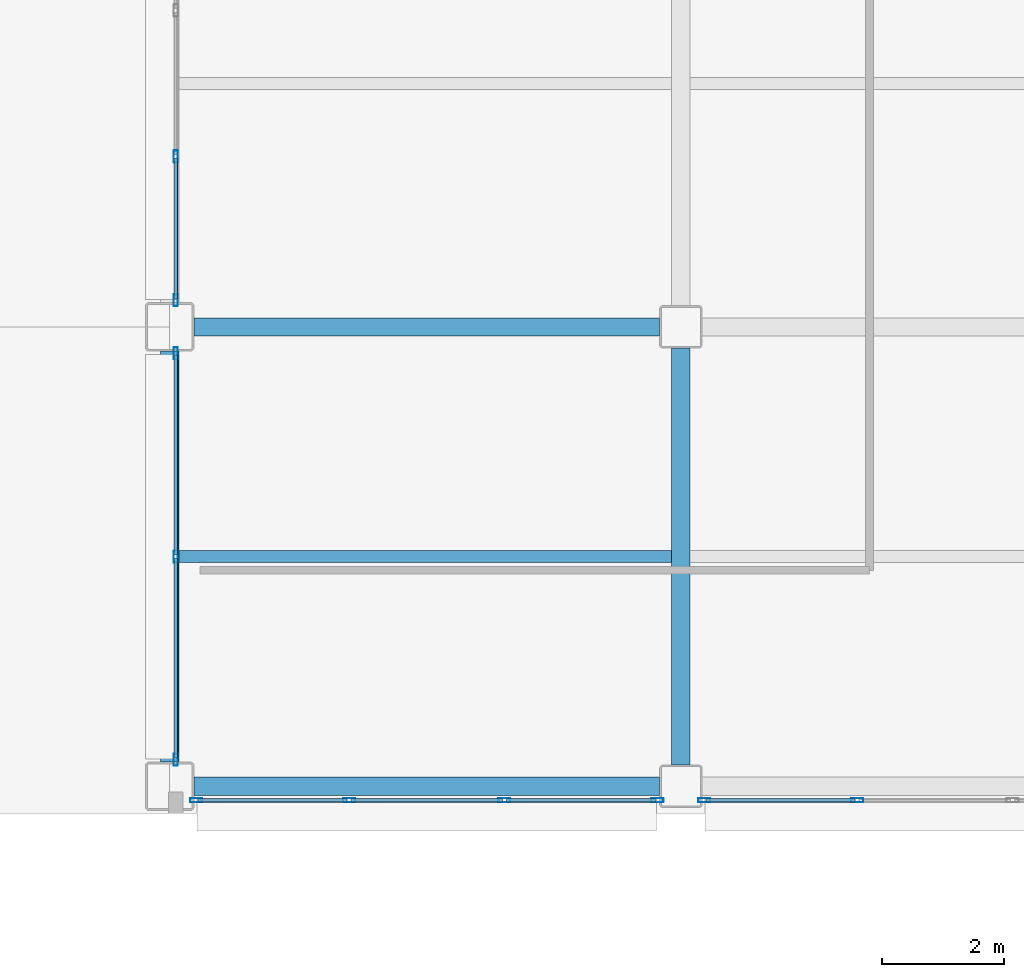
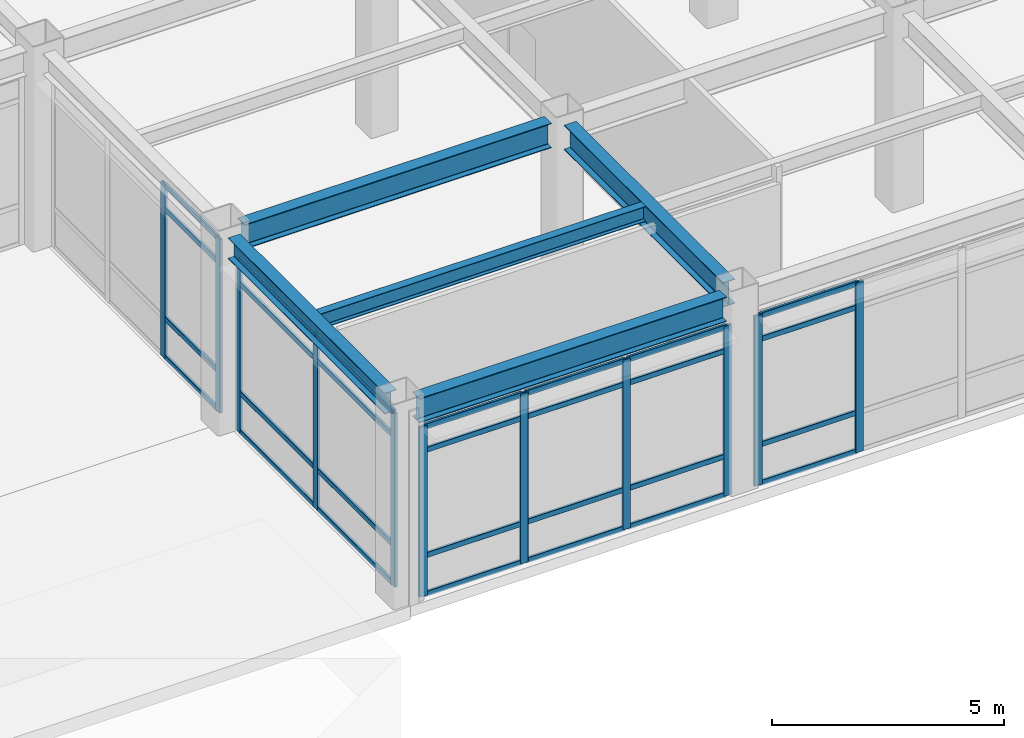
# One storey, part 82 of 165: 39 members, 5 beams, 4 elements without a shape of their own.
"""IFC4 building model written with IfcOpenShell, lengths in metres."""

from ifc_helpers import new_model, si_unit, direction, frame, origin, origin_2d, place, context, subcontext, project, spatial, hollow_rectangle, i_section, extrude, material, layer, layer_set, material_profile, profile_set, type_object, element, aggregate, save


model = new_model("IFC4")

# Units and contexts
model_context = context("Model", 3, precision=1e-05, world=origin(), true_north=direction((0.0, 1.0)))
body_context = subcontext(model_context, "Body", "Model", "MODEL_VIEW")
ifc_project = project(units=[si_unit("LENGTHUNIT", "METRE"), si_unit("AREAUNIT", "SQUARE_METRE"), si_unit("VOLUMEUNIT", "CUBIC_METRE"), si_unit("PLANEANGLEUNIT", "RADIAN"), si_unit("MASSUNIT", "GRAM", prefix="KILO")], contexts=[model_context])

# Site, building, storey
site_placement = place(None, origin())
site = spatial("IfcSite", under=ifc_project, at=site_placement, CompositionType="ELEMENT")
building_placement = place(site_placement, origin())
building = spatial("IfcBuilding", under=site, at=building_placement, Name="Kazehara Bluff Congress Hotel", CompositionType="ELEMENT")
storey_placement = place(building_placement, origin())
storey = spatial("IfcBuildingStorey", under=building, at=storey_placement, Name="L00", CompositionType="ELEMENT", Elevation=0.0)

# Curtain wall, members
ifc_material_1 = material(Name="Anodised aluminium", Category="aluminium")
ifc_layer_1 = layer(ifc_material_1, 0.159912109375)
ifc_layer_set_1 = layer_set([ifc_layer_1], Name="Anodised aluminium")
curtain_wall_type_1 = type_object("IfcCurtainWallType", Name="TP-CW-19", PredefinedType="NOTDEFINED", material=ifc_layer_set_1)
curtain_wall_1_placement = place(storey_placement, origin())
curtain_wall_1 = element("IfcCurtainWall", 1, at=curtain_wall_1_placement, inside=storey, type_object=curtain_wall_type_1, Name="L00 curtain wall CW-19 CW-ENC-V5-L00-14793-22", PredefinedType="NOTDEFINED")
ifc_material_2 = material(Name="Anodised aluminium", Category="aluminium")
ifc_material_profile_1 = material_profile(ifc_material_2, hollow_rectangle(XDim=0.070068359375, YDim=0.199951171875, WallThickness=0.0048828125, InnerFilletRadius=0.0048828125, OuterFilletRadius=0.010009765625, at=origin_2d()))
ifc_profile_set_1 = profile_set([ifc_material_profile_1], Name="Anodised aluminium")
member_type_1 = type_object("IfcMemberType", Name="TP-CWM-03", PredefinedType="MULLION", material=ifc_profile_set_1)
member_1_placement = place(storey_placement, frame((151.715087890625, 0.219970703125, 0.0), z_axis=(0.0, 0.0, 1.0), x_axis=(0.0, -1.0, 0.0)))
member_1 = element("IfcMember", 2, at=member_1_placement, type_object=member_type_1, Name="CW-19 mullion 1", PredefinedType="MULLION", context=body_context, shape_type="SweptSolid", body=[
    extrude(hollow_rectangle(XDim=0.070068359375, YDim=0.199951171875, WallThickness=0.0048828125, InnerFilletRadius=0.0048828125, OuterFilletRadius=0.010009765625, at=origin_2d()), origin(), (0.0, 0.0, 1.0), 4.47509765625),
])
member_2_placement = place(storey_placement, frame((149.199951171875, 0.219970703125, 0.0), z_axis=(0.0, 0.0, 1.0), x_axis=(0.0, -1.0, 0.0)))
member_2 = element("IfcMember", 3, at=member_2_placement, type_object=member_type_1, Name="CW-19 mullion 2", PredefinedType="MULLION", context=body_context, shape_type="SweptSolid", body=[
    extrude(hollow_rectangle(XDim=0.070068359375, YDim=0.199951171875, WallThickness=0.0048828125, InnerFilletRadius=0.0048828125, OuterFilletRadius=0.010009765625, at=origin_2d()), origin(), (0.0, 0.0, 1.0), 4.47509765625),
])
member_3_placement = place(storey_placement, frame((146.64990234375, 0.219970703125, 0.0), z_axis=(0.0, 0.0, 1.0), x_axis=(0.0, -1.0, 0.0)))
member_3 = element("IfcMember", 4, at=member_3_placement, type_object=member_type_1, Name="CW-19 mullion 3", PredefinedType="MULLION", context=body_context, shape_type="SweptSolid", body=[
    extrude(hollow_rectangle(XDim=0.070068359375, YDim=0.199951171875, WallThickness=0.0048828125, InnerFilletRadius=0.0048828125, OuterFilletRadius=0.010009765625, at=origin_2d()), origin(), (0.0, 0.0, 1.0), 4.47509765625),
])
member_4_placement = place(storey_placement, frame((144.135009765625, 0.219970703125, 0.0), z_axis=(0.0, 0.0, 1.0), x_axis=(0.0, -1.0, 0.0)))
member_4 = element("IfcMember", 5, at=member_4_placement, type_object=member_type_1, Name="CW-19 mullion 4", PredefinedType="MULLION", context=body_context, shape_type="SweptSolid", body=[
    extrude(hollow_rectangle(XDim=0.070068359375, YDim=0.199951171875, WallThickness=0.0048828125, InnerFilletRadius=0.0048828125, OuterFilletRadius=0.010009765625, at=origin_2d()), origin(), (0.0, 0.0, 1.0), 4.47509765625),
])

curtain_wall_2_placement = place(storey_placement, origin())
curtain_wall_2 = element("IfcCurtainWall", 6, at=curtain_wall_2_placement, inside=storey, type_object=curtain_wall_type_1, Name="L00 curtain wall CW-19 CW-ENC-V5-L00-15627-22", PredefinedType="NOTDEFINED")
member_5_placement = place(storey_placement, frame((155.0, 0.219970703125, 0.0), z_axis=(0.0, 0.0, 1.0), x_axis=(0.0, -1.0, 0.0)))
member_5 = element("IfcMember", 7, at=member_5_placement, type_object=member_type_1, Name="CW-19 mullion 3", PredefinedType="MULLION", context=body_context, shape_type="SweptSolid", body=[
    extrude(hollow_rectangle(XDim=0.070068359375, YDim=0.199951171875, WallThickness=0.0048828125, InnerFilletRadius=0.0048828125, OuterFilletRadius=0.010009765625, at=origin_2d()), origin(), (0.0, 0.0, 1.0), 4.47509765625),
])
member_6_placement = place(storey_placement, frame((152.485107421875, 0.219970703125, 0.0), z_axis=(0.0, 0.0, 1.0), x_axis=(0.0, -1.0, 0.0)))
member_6 = element("IfcMember", 8, at=member_6_placement, type_object=member_type_1, Name="CW-19 mullion 4", PredefinedType="MULLION", context=body_context, shape_type="SweptSolid", body=[
    extrude(hollow_rectangle(XDim=0.070068359375, YDim=0.199951171875, WallThickness=0.0048828125, InnerFilletRadius=0.0048828125, OuterFilletRadius=0.010009765625, at=origin_2d()), origin(), (0.0, 0.0, 1.0), 4.47509765625),
])

ifc_material_3 = material(Name="Anodised aluminium", Category="aluminium")
ifc_layer_2 = layer(ifc_material_3, 0.159912109375)
ifc_layer_set_2 = layer_set([ifc_layer_2], Name="Anodised aluminium")
curtain_wall_type_2 = type_object("IfcCurtainWallType", Name="TP-CW-103", PredefinedType="NOTDEFINED", material=ifc_layer_set_2)
curtain_wall_3_placement = place(storey_placement, origin())
curtain_wall_3 = element("IfcCurtainWall", 9, at=curtain_wall_3_placement, inside=storey, type_object=curtain_wall_type_2, Name="L00 curtain wall CW-103 CW-ENC-V5-L00-14380-422", PredefinedType="NOTDEFINED")
member_7_placement = place(storey_placement, frame((143.800048828125, 0.885009765625, 0.0), z_axis=(0.0, 0.0, 1.0), x_axis=(-1.0, 0.0, 0.0)))
member_7 = element("IfcMember", 10, at=member_7_placement, type_object=member_type_1, Name="CW-103 mullion 1", PredefinedType="MULLION", context=body_context, shape_type="SweptSolid", body=[
    extrude(hollow_rectangle(XDim=0.070068359375, YDim=0.199951171875, WallThickness=0.0048828125, InnerFilletRadius=0.0048828125, OuterFilletRadius=0.010009765625, at=origin_2d()), origin(), (0.0, 0.0, 1.0), 4.574951171875),
])
member_8_placement = place(storey_placement, frame((143.800048828125, 4.22509765625, 0.0), z_axis=(0.0, 0.0, 1.0), x_axis=(-1.0, 0.0, 0.0)))
member_8 = element("IfcMember", 11, at=member_8_placement, type_object=member_type_1, Name="CW-103 mullion 2", PredefinedType="MULLION", context=body_context, shape_type="SweptSolid", body=[
    extrude(hollow_rectangle(XDim=0.070068359375, YDim=0.199951171875, WallThickness=0.0048828125, InnerFilletRadius=0.0048828125, OuterFilletRadius=0.010009765625, at=origin_2d()), origin(), (0.0, 0.0, 1.0), 4.574951171875),
])
member_9_placement = place(storey_placement, frame((143.800048828125, 7.56494140625, 0.0), z_axis=(0.0, 0.0, 1.0), x_axis=(-1.0, 0.0, 0.0)))
member_9 = element("IfcMember", 12, at=member_9_placement, type_object=member_type_1, Name="CW-103 mullion 3", PredefinedType="MULLION", context=body_context, shape_type="SweptSolid", body=[
    extrude(hollow_rectangle(XDim=0.070068359375, YDim=0.199951171875, WallThickness=0.0048828125, InnerFilletRadius=0.0048828125, OuterFilletRadius=0.010009765625, at=origin_2d()), origin(), (0.0, 0.0, 1.0), 4.574951171875),
])

ifc_material_4 = material(Name="Anodised aluminium", Category="aluminium")
ifc_layer_3 = layer(ifc_material_4, 0.159912109375)
ifc_layer_set_3 = layer_set([ifc_layer_3], Name="Anodised aluminium")
curtain_wall_type_3 = type_object("IfcCurtainWallType", Name="TP-CW-104", PredefinedType="NOTDEFINED", material=ifc_layer_set_3)
curtain_wall_4_placement = place(storey_placement, origin())
curtain_wall_4 = element("IfcCurtainWall", 13, at=curtain_wall_4_placement, inside=storey, type_object=curtain_wall_type_3, Name="L00 curtain wall CW-104 CW-ENC-V5-L00-14380-1200", PredefinedType="NOTDEFINED")
member_10_placement = place(storey_placement, frame((143.800048828125, 8.43505859375, 0.0), z_axis=(0.0, 0.0, 1.0), x_axis=(-1.0, 0.0, 0.0)))
member_10 = element("IfcMember", 14, at=member_10_placement, type_object=member_type_1, Name="CW-104 mullion 1", PredefinedType="MULLION", context=body_context, shape_type="SweptSolid", body=[
    extrude(hollow_rectangle(XDim=0.070068359375, YDim=0.199951171875, WallThickness=0.0048828125, InnerFilletRadius=0.0048828125, OuterFilletRadius=0.010009765625, at=origin_2d()), origin(), (0.0, 0.0, 1.0), 4.574951171875),
])
member_11_placement = place(storey_placement, frame((143.800048828125, 10.800048828125, 0.0), z_axis=(0.0, 0.0, 1.0), x_axis=(-1.0, 0.0, 0.0)))
member_11 = element("IfcMember", 15, at=member_11_placement, type_object=member_type_1, Name="CW-104 mullion 2", PredefinedType="MULLION", context=body_context, shape_type="SweptSolid", body=[
    extrude(hollow_rectangle(XDim=0.070068359375, YDim=0.199951171875, WallThickness=0.0048828125, InnerFilletRadius=0.0048828125, OuterFilletRadius=0.010009765625, at=origin_2d()), origin(), (0.0, 0.0, 1.0), 4.574951171875),
])

# Member
ifc_material_5 = material(Name="Anodised aluminium", Category="aluminium")
ifc_material_profile_2 = material_profile(ifc_material_5, hollow_rectangle(XDim=0.06494140625, YDim=0.139892578125, WallThickness=0.00390625, InnerFilletRadius=0.00390625, OuterFilletRadius=0.008056640625, at=origin_2d()))
ifc_profile_set_2 = profile_set([ifc_material_profile_2], Name="Anodised aluminium")
member_type_2 = type_object("IfcMemberType", Name="TP-CWT-02", PredefinedType="USERDEFINED", material=ifc_profile_set_2)
member_12_placement = place(storey_placement, frame((151.679931640625, 0.219970703125, 0.032470703125), z_axis=(-1.0, 0.0, 0.0), x_axis=(0.0, -1.0, 0.0)))
member_12 = element("IfcMember", 16, at=member_12_placement, type_object=member_type_2, Name="CW-19 transom 1.1", ObjectType="TRANSOM", PredefinedType="USERDEFINED", context=body_context, shape_type="SweptSolid", body=[
    extrude(hollow_rectangle(XDim=0.06494140625, YDim=0.139892578125, WallThickness=0.00390625, InnerFilletRadius=0.00390625, OuterFilletRadius=0.008056640625, at=origin_2d()), origin(), (0.0, 0.0, 1.0), 2.44482421875),
])

member_13_placement = place(storey_placement, frame((151.679931640625, 0.219970703125, 1.050048828125), z_axis=(-1.0, 0.0, 0.0), x_axis=(0.0, -1.0, 0.0)))
member_13 = element("IfcMember", 17, at=member_13_placement, type_object=member_type_2, Name="CW-19 transom 1.2", ObjectType="TRANSOM", PredefinedType="USERDEFINED", context=body_context, shape_type="SweptSolid", body=[
    extrude(hollow_rectangle(XDim=0.06494140625, YDim=0.139892578125, WallThickness=0.00390625, InnerFilletRadius=0.00390625, OuterFilletRadius=0.008056640625, at=origin_2d()), origin(), (0.0, 0.0, 1.0), 2.44482421875),
])

member_14_placement = place(storey_placement, frame((151.679931640625, 0.219970703125, 3.824951171875), z_axis=(-1.0, 0.0, 0.0), x_axis=(0.0, -1.0, 0.0)))
member_14 = element("IfcMember", 18, at=member_14_placement, type_object=member_type_2, Name="CW-19 transom 1.3", ObjectType="TRANSOM", PredefinedType="USERDEFINED", context=body_context, shape_type="SweptSolid", body=[
    extrude(hollow_rectangle(XDim=0.06494140625, YDim=0.139892578125, WallThickness=0.00390625, InnerFilletRadius=0.00390625, OuterFilletRadius=0.008056640625, at=origin_2d()), origin(), (0.0, 0.0, 1.0), 2.44482421875),
])

member_15_placement = place(storey_placement, frame((151.679931640625, 0.219970703125, 4.4423828125), z_axis=(-1.0, 0.0, 0.0), x_axis=(0.0, -1.0, 0.0)))
member_15 = element("IfcMember", 19, at=member_15_placement, type_object=member_type_2, Name="CW-19 transom 1.4", ObjectType="TRANSOM", PredefinedType="USERDEFINED", context=body_context, shape_type="SweptSolid", body=[
    extrude(hollow_rectangle(XDim=0.06494140625, YDim=0.139892578125, WallThickness=0.00390625, InnerFilletRadius=0.00390625, OuterFilletRadius=0.008056640625, at=origin_2d()), origin(), (0.0, 0.0, 1.0), 2.44482421875),
])

member_16_placement = place(storey_placement, frame((149.1650390625, 0.219970703125, 0.032470703125), z_axis=(-1.0, 0.0, 0.0), x_axis=(0.0, -1.0, 0.0)))
member_16 = element("IfcMember", 20, at=member_16_placement, type_object=member_type_2, Name="CW-19 transom 2.1", ObjectType="TRANSOM", PredefinedType="USERDEFINED", context=body_context, shape_type="SweptSolid", body=[
    extrude(hollow_rectangle(XDim=0.06494140625, YDim=0.139892578125, WallThickness=0.00390625, InnerFilletRadius=0.00390625, OuterFilletRadius=0.008056640625, at=origin_2d()), origin(), (0.0, 0.0, 1.0), 2.47998046875),
])

member_17_placement = place(storey_placement, frame((149.1650390625, 0.219970703125, 1.050048828125), z_axis=(-1.0, 0.0, 0.0), x_axis=(0.0, -1.0, 0.0)))
member_17 = element("IfcMember", 21, at=member_17_placement, type_object=member_type_2, Name="CW-19 transom 2.2", ObjectType="TRANSOM", PredefinedType="USERDEFINED", context=body_context, shape_type="SweptSolid", body=[
    extrude(hollow_rectangle(XDim=0.06494140625, YDim=0.139892578125, WallThickness=0.00390625, InnerFilletRadius=0.00390625, OuterFilletRadius=0.008056640625, at=origin_2d()), origin(), (0.0, 0.0, 1.0), 2.47998046875),
])

member_18_placement = place(storey_placement, frame((149.1650390625, 0.219970703125, 3.824951171875), z_axis=(-1.0, 0.0, 0.0), x_axis=(0.0, -1.0, 0.0)))
member_18 = element("IfcMember", 22, at=member_18_placement, type_object=member_type_2, Name="CW-19 transom 2.3", ObjectType="TRANSOM", PredefinedType="USERDEFINED", context=body_context, shape_type="SweptSolid", body=[
    extrude(hollow_rectangle(XDim=0.06494140625, YDim=0.139892578125, WallThickness=0.00390625, InnerFilletRadius=0.00390625, OuterFilletRadius=0.008056640625, at=origin_2d()), origin(), (0.0, 0.0, 1.0), 2.47998046875),
])

member_19_placement = place(storey_placement, frame((149.1650390625, 0.219970703125, 4.4423828125), z_axis=(-1.0, 0.0, 0.0), x_axis=(0.0, -1.0, 0.0)))
member_19 = element("IfcMember", 23, at=member_19_placement, type_object=member_type_2, Name="CW-19 transom 2.4", ObjectType="TRANSOM", PredefinedType="USERDEFINED", context=body_context, shape_type="SweptSolid", body=[
    extrude(hollow_rectangle(XDim=0.06494140625, YDim=0.139892578125, WallThickness=0.00390625, InnerFilletRadius=0.00390625, OuterFilletRadius=0.008056640625, at=origin_2d()), origin(), (0.0, 0.0, 1.0), 2.47998046875),
])

member_20_placement = place(storey_placement, frame((146.614990234375, 0.219970703125, 0.032470703125), z_axis=(-1.0, 0.0, 0.0), x_axis=(0.0, -1.0, 0.0)))
member_20 = element("IfcMember", 24, at=member_20_placement, type_object=member_type_2, Name="CW-19 transom 3.1", ObjectType="TRANSOM", PredefinedType="USERDEFINED", context=body_context, shape_type="SweptSolid", body=[
    extrude(hollow_rectangle(XDim=0.06494140625, YDim=0.139892578125, WallThickness=0.00390625, InnerFilletRadius=0.00390625, OuterFilletRadius=0.008056640625, at=origin_2d()), origin(), (0.0, 0.0, 1.0), 2.445068359375),
])

member_21_placement = place(storey_placement, frame((146.614990234375, 0.219970703125, 1.050048828125), z_axis=(-1.0, 0.0, 0.0), x_axis=(0.0, -1.0, 0.0)))
member_21 = element("IfcMember", 25, at=member_21_placement, type_object=member_type_2, Name="CW-19 transom 3.2", ObjectType="TRANSOM", PredefinedType="USERDEFINED", context=body_context, shape_type="SweptSolid", body=[
    extrude(hollow_rectangle(XDim=0.06494140625, YDim=0.139892578125, WallThickness=0.00390625, InnerFilletRadius=0.00390625, OuterFilletRadius=0.008056640625, at=origin_2d()), origin(), (0.0, 0.0, 1.0), 2.445068359375),
])

member_22_placement = place(storey_placement, frame((146.614990234375, 0.219970703125, 3.824951171875), z_axis=(-1.0, 0.0, 0.0), x_axis=(0.0, -1.0, 0.0)))
member_22 = element("IfcMember", 26, at=member_22_placement, type_object=member_type_2, Name="CW-19 transom 3.3", ObjectType="TRANSOM", PredefinedType="USERDEFINED", context=body_context, shape_type="SweptSolid", body=[
    extrude(hollow_rectangle(XDim=0.06494140625, YDim=0.139892578125, WallThickness=0.00390625, InnerFilletRadius=0.00390625, OuterFilletRadius=0.008056640625, at=origin_2d()), origin(), (0.0, 0.0, 1.0), 2.445068359375),
])

member_23_placement = place(storey_placement, frame((146.614990234375, 0.219970703125, 4.4423828125), z_axis=(-1.0, 0.0, 0.0), x_axis=(0.0, -1.0, 0.0)))
member_23 = element("IfcMember", 27, at=member_23_placement, type_object=member_type_2, Name="CW-19 transom 3.4", ObjectType="TRANSOM", PredefinedType="USERDEFINED", context=body_context, shape_type="SweptSolid", body=[
    extrude(hollow_rectangle(XDim=0.06494140625, YDim=0.139892578125, WallThickness=0.00390625, InnerFilletRadius=0.00390625, OuterFilletRadius=0.008056640625, at=origin_2d()), origin(), (0.0, 0.0, 1.0), 2.445068359375),
])

aggregate(curtain_wall_1, [member_1, member_2, member_3, member_4, member_12, member_13, member_14, member_15, member_16, member_17, member_18, member_19, member_20, member_21, member_22, member_23])

member_24_placement = place(storey_placement, frame((154.965087890625, 0.219970703125, 0.032470703125), z_axis=(-1.0, 0.0, 0.0), x_axis=(0.0, -1.0, 0.0)))
member_24 = element("IfcMember", 28, at=member_24_placement, type_object=member_type_2, Name="CW-19 transom 3.1", ObjectType="TRANSOM", PredefinedType="USERDEFINED", context=body_context, shape_type="SweptSolid", body=[
    extrude(hollow_rectangle(XDim=0.06494140625, YDim=0.139892578125, WallThickness=0.00390625, InnerFilletRadius=0.00390625, OuterFilletRadius=0.008056640625, at=origin_2d()), origin(), (0.0, 0.0, 1.0), 2.445068359375),
])

member_25_placement = place(storey_placement, frame((154.965087890625, 0.219970703125, 1.050048828125), z_axis=(-1.0, 0.0, 0.0), x_axis=(0.0, -1.0, 0.0)))
member_25 = element("IfcMember", 29, at=member_25_placement, type_object=member_type_2, Name="CW-19 transom 3.2", ObjectType="TRANSOM", PredefinedType="USERDEFINED", context=body_context, shape_type="SweptSolid", body=[
    extrude(hollow_rectangle(XDim=0.06494140625, YDim=0.139892578125, WallThickness=0.00390625, InnerFilletRadius=0.00390625, OuterFilletRadius=0.008056640625, at=origin_2d()), origin(), (0.0, 0.0, 1.0), 2.445068359375),
])

member_26_placement = place(storey_placement, frame((154.965087890625, 0.219970703125, 3.824951171875), z_axis=(-1.0, 0.0, 0.0), x_axis=(0.0, -1.0, 0.0)))
member_26 = element("IfcMember", 30, at=member_26_placement, type_object=member_type_2, Name="CW-19 transom 3.3", ObjectType="TRANSOM", PredefinedType="USERDEFINED", context=body_context, shape_type="SweptSolid", body=[
    extrude(hollow_rectangle(XDim=0.06494140625, YDim=0.139892578125, WallThickness=0.00390625, InnerFilletRadius=0.00390625, OuterFilletRadius=0.008056640625, at=origin_2d()), origin(), (0.0, 0.0, 1.0), 2.445068359375),
])

member_27_placement = place(storey_placement, frame((154.965087890625, 0.219970703125, 4.4423828125), z_axis=(-1.0, 0.0, 0.0), x_axis=(0.0, -1.0, 0.0)))
member_27 = element("IfcMember", 31, at=member_27_placement, type_object=member_type_2, Name="CW-19 transom 3.4", ObjectType="TRANSOM", PredefinedType="USERDEFINED", context=body_context, shape_type="SweptSolid", body=[
    extrude(hollow_rectangle(XDim=0.06494140625, YDim=0.139892578125, WallThickness=0.00390625, InnerFilletRadius=0.00390625, OuterFilletRadius=0.008056640625, at=origin_2d()), origin(), (0.0, 0.0, 1.0), 2.445068359375),
])

aggregate(curtain_wall_2, [member_5, member_6, member_24, member_25, member_26, member_27])

member_28_placement = place(storey_placement, frame((143.800048828125, 0.919921875, 0.032470703125), z_axis=(0.0, 1.0, 0.0), x_axis=(-1.0, 0.0, 0.0)))
member_28 = element("IfcMember", 32, at=member_28_placement, type_object=member_type_2, Name="CW-103 transom 1.1", ObjectType="TRANSOM", PredefinedType="USERDEFINED", context=body_context, shape_type="SweptSolid", body=[
    extrude(hollow_rectangle(XDim=0.06494140625, YDim=0.139892578125, WallThickness=0.00390625, InnerFilletRadius=0.00390625, OuterFilletRadius=0.008056640625, at=origin_2d()), origin(), (0.0, 0.0, 1.0), 3.27001953125),
])

member_29_placement = place(storey_placement, frame((143.800048828125, 0.919921875, 1.050048828125), z_axis=(0.0, 1.0, 0.0), x_axis=(-1.0, 0.0, 0.0)))
member_29 = element("IfcMember", 33, at=member_29_placement, type_object=member_type_2, Name="CW-103 transom 1.2", ObjectType="TRANSOM", PredefinedType="USERDEFINED", context=body_context, shape_type="SweptSolid", body=[
    extrude(hollow_rectangle(XDim=0.06494140625, YDim=0.139892578125, WallThickness=0.00390625, InnerFilletRadius=0.00390625, OuterFilletRadius=0.008056640625, at=origin_2d()), origin(), (0.0, 0.0, 1.0), 3.27001953125),
])

member_30_placement = place(storey_placement, frame((143.800048828125, 0.919921875, 3.925048828125), z_axis=(0.0, 1.0, 0.0), x_axis=(-1.0, 0.0, 0.0)))
member_30 = element("IfcMember", 34, at=member_30_placement, type_object=member_type_2, Name="CW-103 transom 1.3", ObjectType="TRANSOM", PredefinedType="USERDEFINED", context=body_context, shape_type="SweptSolid", body=[
    extrude(hollow_rectangle(XDim=0.06494140625, YDim=0.139892578125, WallThickness=0.00390625, InnerFilletRadius=0.00390625, OuterFilletRadius=0.008056640625, at=origin_2d()), origin(), (0.0, 0.0, 1.0), 3.27001953125),
])

member_31_placement = place(storey_placement, frame((143.800048828125, 0.919921875, 4.54248046875), z_axis=(0.0, 1.0, 0.0), x_axis=(-1.0, 0.0, 0.0)))
member_31 = element("IfcMember", 35, at=member_31_placement, type_object=member_type_2, Name="CW-103 transom 1.4", ObjectType="TRANSOM", PredefinedType="USERDEFINED", context=body_context, shape_type="SweptSolid", body=[
    extrude(hollow_rectangle(XDim=0.06494140625, YDim=0.139892578125, WallThickness=0.00390625, InnerFilletRadius=0.00390625, OuterFilletRadius=0.008056640625, at=origin_2d()), origin(), (0.0, 0.0, 1.0), 3.27001953125),
])

member_32_placement = place(storey_placement, frame((143.800048828125, 4.260009765625, 0.032470703125), z_axis=(0.0, 1.0, 0.0), x_axis=(-1.0, 0.0, 0.0)))
member_32 = element("IfcMember", 36, at=member_32_placement, type_object=member_type_2, Name="CW-103 transom 2.1", ObjectType="TRANSOM", PredefinedType="USERDEFINED", context=body_context, shape_type="SweptSolid", body=[
    extrude(hollow_rectangle(XDim=0.06494140625, YDim=0.139892578125, WallThickness=0.00390625, InnerFilletRadius=0.00390625, OuterFilletRadius=0.008056640625, at=origin_2d()), origin(), (0.0, 0.0, 1.0), 3.27001953125),
])

member_33_placement = place(storey_placement, frame((143.800048828125, 4.260009765625, 1.050048828125), z_axis=(0.0, 1.0, 0.0), x_axis=(-1.0, 0.0, 0.0)))
member_33 = element("IfcMember", 37, at=member_33_placement, type_object=member_type_2, Name="CW-103 transom 2.2", ObjectType="TRANSOM", PredefinedType="USERDEFINED", context=body_context, shape_type="SweptSolid", body=[
    extrude(hollow_rectangle(XDim=0.06494140625, YDim=0.139892578125, WallThickness=0.00390625, InnerFilletRadius=0.00390625, OuterFilletRadius=0.008056640625, at=origin_2d()), origin(), (0.0, 0.0, 1.0), 3.27001953125),
])

member_34_placement = place(storey_placement, frame((143.800048828125, 4.260009765625, 3.925048828125), z_axis=(0.0, 1.0, 0.0), x_axis=(-1.0, 0.0, 0.0)))
member_34 = element("IfcMember", 38, at=member_34_placement, type_object=member_type_2, Name="CW-103 transom 2.3", ObjectType="TRANSOM", PredefinedType="USERDEFINED", context=body_context, shape_type="SweptSolid", body=[
    extrude(hollow_rectangle(XDim=0.06494140625, YDim=0.139892578125, WallThickness=0.00390625, InnerFilletRadius=0.00390625, OuterFilletRadius=0.008056640625, at=origin_2d()), origin(), (0.0, 0.0, 1.0), 3.27001953125),
])

member_35_placement = place(storey_placement, frame((143.800048828125, 4.260009765625, 4.54248046875), z_axis=(0.0, 1.0, 0.0), x_axis=(-1.0, 0.0, 0.0)))
member_35 = element("IfcMember", 39, at=member_35_placement, type_object=member_type_2, Name="CW-103 transom 2.4", ObjectType="TRANSOM", PredefinedType="USERDEFINED", context=body_context, shape_type="SweptSolid", body=[
    extrude(hollow_rectangle(XDim=0.06494140625, YDim=0.139892578125, WallThickness=0.00390625, InnerFilletRadius=0.00390625, OuterFilletRadius=0.008056640625, at=origin_2d()), origin(), (0.0, 0.0, 1.0), 3.27001953125),
])

aggregate(curtain_wall_3, [member_7, member_8, member_9, member_28, member_29, member_30, member_31, member_32, member_33, member_34, member_35])

member_36_placement = place(storey_placement, frame((143.800048828125, 8.469970703125, 0.032470703125), z_axis=(0.0, 1.0, 0.0), x_axis=(-1.0, 0.0, 0.0)))
member_36 = element("IfcMember", 40, at=member_36_placement, type_object=member_type_2, Name="CW-104 transom 1.1", ObjectType="TRANSOM", PredefinedType="USERDEFINED", context=body_context, shape_type="SweptSolid", body=[
    extrude(hollow_rectangle(XDim=0.06494140625, YDim=0.139892578125, WallThickness=0.00390625, InnerFilletRadius=0.00390625, OuterFilletRadius=0.008056640625, at=origin_2d()), origin(), (0.0, 0.0, 1.0), 2.294921875),
])

member_37_placement = place(storey_placement, frame((143.800048828125, 8.469970703125, 1.050048828125), z_axis=(0.0, 1.0, 0.0), x_axis=(-1.0, 0.0, 0.0)))
member_37 = element("IfcMember", 41, at=member_37_placement, type_object=member_type_2, Name="CW-104 transom 1.2", ObjectType="TRANSOM", PredefinedType="USERDEFINED", context=body_context, shape_type="SweptSolid", body=[
    extrude(hollow_rectangle(XDim=0.06494140625, YDim=0.139892578125, WallThickness=0.00390625, InnerFilletRadius=0.00390625, OuterFilletRadius=0.008056640625, at=origin_2d()), origin(), (0.0, 0.0, 1.0), 2.294921875),
])

member_38_placement = place(storey_placement, frame((143.800048828125, 8.469970703125, 3.925048828125), z_axis=(0.0, 1.0, 0.0), x_axis=(-1.0, 0.0, 0.0)))
member_38 = element("IfcMember", 42, at=member_38_placement, type_object=member_type_2, Name="CW-104 transom 1.3", ObjectType="TRANSOM", PredefinedType="USERDEFINED", context=body_context, shape_type="SweptSolid", body=[
    extrude(hollow_rectangle(XDim=0.06494140625, YDim=0.139892578125, WallThickness=0.00390625, InnerFilletRadius=0.00390625, OuterFilletRadius=0.008056640625, at=origin_2d()), origin(), (0.0, 0.0, 1.0), 2.294921875),
])

member_39_placement = place(storey_placement, frame((143.800048828125, 8.469970703125, 4.54248046875), z_axis=(0.0, 1.0, 0.0), x_axis=(-1.0, 0.0, 0.0)))
member_39 = element("IfcMember", 43, at=member_39_placement, type_object=member_type_2, Name="CW-104 transom 1.4", ObjectType="TRANSOM", PredefinedType="USERDEFINED", context=body_context, shape_type="SweptSolid", body=[
    extrude(hollow_rectangle(XDim=0.06494140625, YDim=0.139892578125, WallThickness=0.00390625, InnerFilletRadius=0.00390625, OuterFilletRadius=0.008056640625, at=origin_2d()), origin(), (0.0, 0.0, 1.0), 2.294921875),
])

aggregate(curtain_wall_4, [member_10, member_11, member_36, member_37, member_38, member_39])

# Beams
ifc_material_6 = material(Name="Steel SN490B", Category="steel")
ifc_material_profile_3 = material_profile(ifc_material_6, i_section(OverallWidth=0.300048828125, OverallDepth=0.64990234375, WebThickness=0.011962890625, FlangeThickness=0.02001953125, FilletRadius=0.012939453125, at=origin_2d()))
ifc_profile_set_3 = profile_set([ifc_material_profile_3], Name="Steel SN490B")
beam_type_1 = type_object("IfcBeamType", Name="TP-G-03", PredefinedType="BEAM", material=ifc_profile_set_3)
beam_1_placement = place(storey_placement, frame((152.10009765625, 0.800048828125, 4.824951171875), z_axis=(0.0, 1.0, 0.0), x_axis=(-1.0, 0.0, 0.0)))
element("IfcBeam", 44, at=beam_1_placement, inside=storey, type_object=beam_type_1, Name="L00 girder G-03 242", PredefinedType="BEAM", context=body_context, shape_type="SweptSolid", body=[
    extrude(i_section(OverallWidth=0.300048828125, OverallDepth=0.64990234375, WebThickness=0.011962890625, FlangeThickness=0.02001953125, FilletRadius=0.012939453125, at=origin_2d()), origin(), (0.0, 0.0, 1.0), 6.849853515625),
])
for number, where, z_axis, x_axis, name in (
    (45, (144.10009765625, 0.449951171875, 4.824951171875), (1.0, 0.0, 0.0), (0.0, 1.0, 0.0), "L00 girder G-03 271"),
    (46, (144.10009765625, 8.0, 4.824951171875), (1.0, 0.0, 0.0), (0.0, 1.0, 0.0), "L00 girder G-03 274"),
):
    element("IfcBeam", number, at=place(storey_placement, frame(where, z_axis=z_axis, x_axis=x_axis)), inside=storey, type_object=beam_type_1, Name=name, PredefinedType="BEAM", context=body_context, shape_type="SweptSolid", body=[
        extrude(i_section(OverallWidth=0.300048828125, OverallDepth=0.64990234375, WebThickness=0.011962890625, FlangeThickness=0.02001953125, FilletRadius=0.012939453125, at=origin_2d()), origin(), (0.0, 0.0, 1.0), 7.64990234375),
    ])
ifc_material_7 = material(Name="Steel SN400B", Category="steel")
ifc_material_profile_4 = material_profile(ifc_material_7, i_section(OverallWidth=0.199951171875, OverallDepth=0.39990234375, WebThickness=0.008056640625, FlangeThickness=0.012939453125, FilletRadius=0.012939453125, at=origin_2d()))
ifc_profile_set_4 = profile_set([ifc_material_profile_4], Name="Steel SN400B")
beam_type_2 = type_object("IfcBeamType", Name="TP-J-03", PredefinedType="JOIST", material=ifc_profile_set_4)
beam_2_placement = place(storey_placement, frame((143.85009765625, 4.22509765625, 4.949951171875), z_axis=(1.0, 0.0, 0.0), x_axis=(0.0, 1.0, 0.0)))
element("IfcBeam", 47, at=beam_2_placement, inside=storey, type_object=beam_type_2, Name="L00 secondary joist J-03 61", PredefinedType="JOIST", context=body_context, shape_type="SweptSolid", body=[
    extrude(i_section(OverallWidth=0.199951171875, OverallDepth=0.39990234375, WebThickness=0.008056640625, FlangeThickness=0.012939453125, FilletRadius=0.012939453125, at=origin_2d()), origin(), (0.0, 0.0, 1.0), 8.099853515625),
])
ifc_material_8 = material(Name="Steel SN490B", Category="steel")
ifc_material_profile_5 = material_profile(ifc_material_8, i_section(OverallWidth=0.300048828125, OverallDepth=0.550048828125, WebThickness=0.010986328125, FlangeThickness=0.01806640625, FilletRadius=0.012939453125, at=origin_2d()))
ifc_profile_set_5 = profile_set([ifc_material_profile_5], Name="Steel SN490B")
beam_type_3 = type_object("IfcBeamType", Name="TP-SP-01", PredefinedType="SPANDREL", material=ifc_profile_set_5)
beam_3_placement = place(storey_placement, frame((143.699951171875, 0.85009765625, 4.875), z_axis=(0.0, 1.0, 0.0), x_axis=(-1.0, 0.0, 0.0)))
element("IfcBeam", 48, at=beam_3_placement, inside=storey, type_object=beam_type_3, Name="L00 girder SP-01 229", PredefinedType="SPANDREL", context=body_context, shape_type="SweptSolid", body=[
    extrude(i_section(OverallWidth=0.300048828125, OverallDepth=0.550048828125, WebThickness=0.010986328125, FlangeThickness=0.01806640625, FilletRadius=0.012939453125, at=origin_2d()), origin(), (0.0, 0.0, 1.0), 6.75),
])

save(model, "model.ifc")
